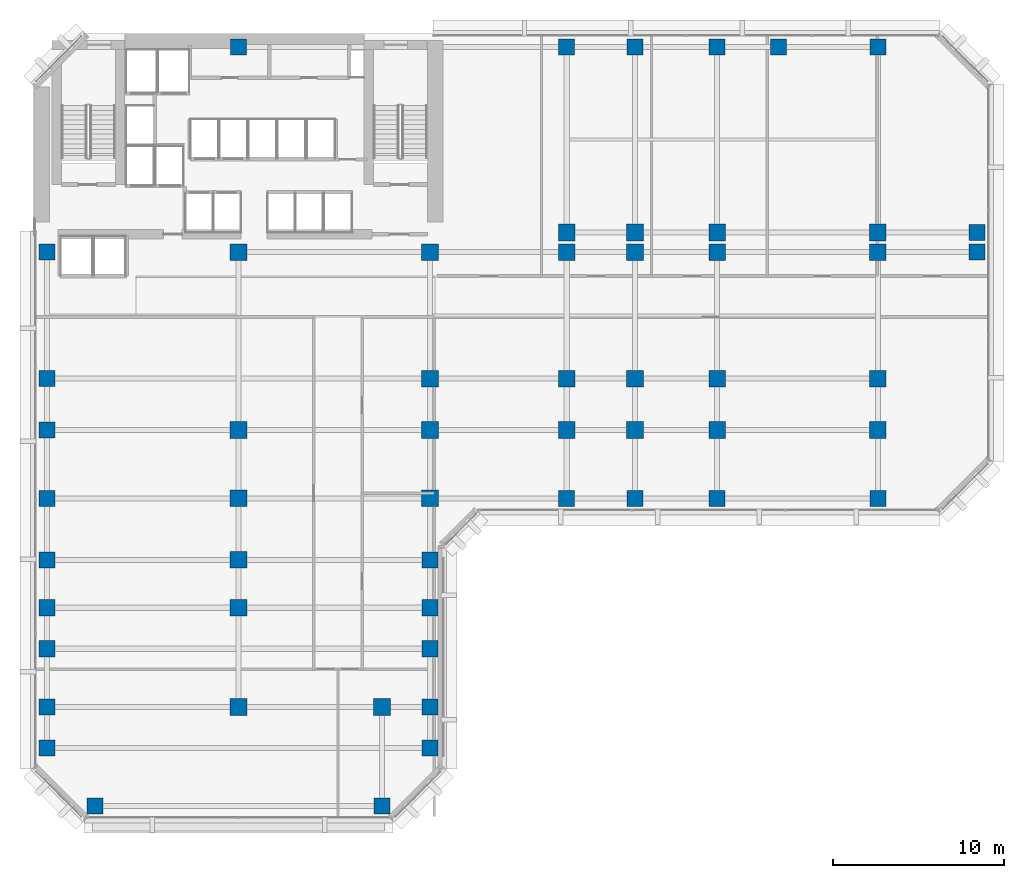
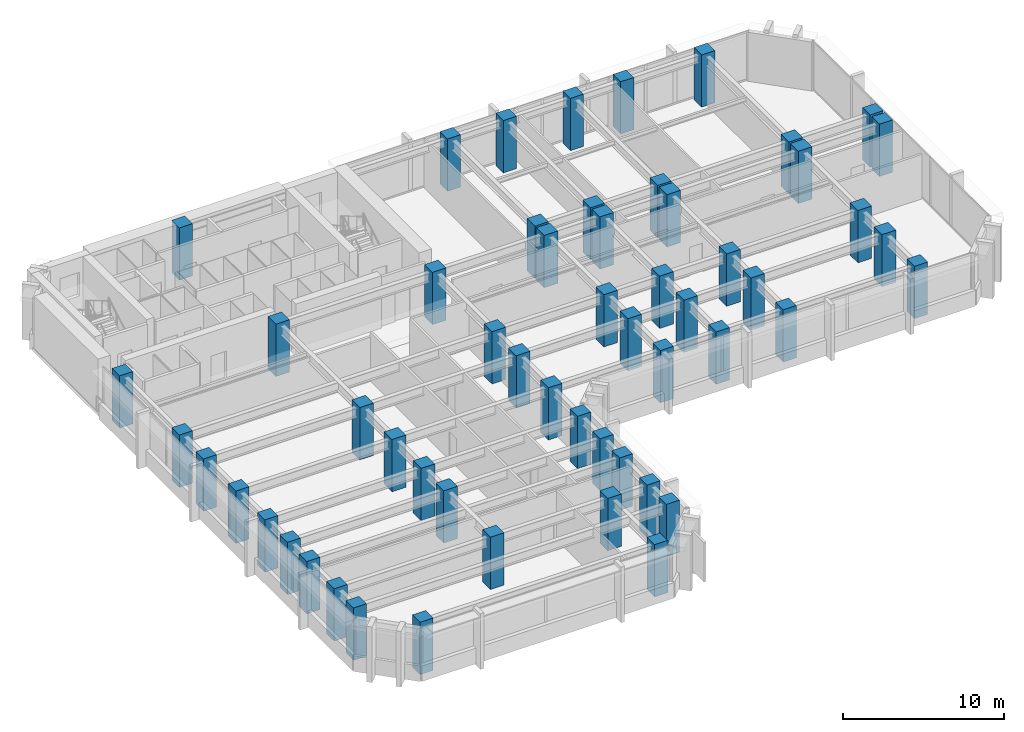
# One storey, part 1 of 13: 55 columns.
"""IFC4 building model written with IfcOpenShell, lengths in metres."""

from ifc_helpers import new_model, si_unit, direction, frame, origin, origin_2d, place, context, subcontext, project, spatial, rectangle, extrude, material, material_profile, profile_set, type_object, element, save


model = new_model("IFC4")

# Units and contexts
model_context = context("Model", 3, precision=1e-05, world=origin(), true_north=direction((0.0, 1.0)))
body_context = subcontext(model_context, "Body", "Model", "MODEL_VIEW")
ifc_project = project(units=[si_unit("LENGTHUNIT", "METRE"), si_unit("AREAUNIT", "SQUARE_METRE"), si_unit("VOLUMEUNIT", "CUBIC_METRE"), si_unit("PLANEANGLEUNIT", "RADIAN"), si_unit("MASSUNIT", "GRAM", prefix="KILO")], contexts=[model_context])

# Site, building, storey
site_placement = place(None, origin())
site = spatial("IfcSite", under=ifc_project, at=site_placement, CompositionType="ELEMENT")
building_placement = place(site_placement, origin())
building = spatial("IfcBuilding", under=site, at=building_placement, Name="Kefirva Bronze Tower", CompositionType="ELEMENT")
storey_placement = place(building_placement, frame((0.0, 0.0, 69.9599609375)))
storey = spatial("IfcBuildingStorey", under=building, at=storey_placement, Name="L16", CompositionType="ELEMENT", Elevation=69.9599609375)

# Columns
ifc_material = material(Name="Concrete C60/75", Category="concrete")
ifc_material_profile_1 = material_profile(ifc_material, rectangle(XDim=0.93994140625, YDim=0.93994140625, at=origin_2d()), Name="RC 940x940")
ifc_profile_set_1 = profile_set([ifc_material_profile_1], Name="Concrete C60/75")
column_type_1 = type_object("IfcColumnType", Name="RC Column 940x940 Ext", PredefinedType="COLUMN", material=ifc_profile_set_1)
for number, where, z_axis, x_axis, name in (
    (1, (0.800048828125, 4.199951171875, 0.0), (0.0, 0.0, 1.0), (1.0, 0.0, 0.0), "L16 Column C008_042"),
    (2, (0.800048828125, 6.60009765625, 0.0), (0.0, 0.0, 1.0), (1.0, 0.0, 0.0), "L16 Column C008_066"),
    (3, (0.800048828125, 10.0, 0.0), (0.0, 0.0, 1.0), (1.0, 0.0, 0.0), "L16 Column C008_100"),
    (4, (0.800048828125, 12.39990234375, 0.0), (0.0, 0.0, 1.0), (1.0, 0.0, 0.0), "L16 Column C008_124"),
    (5, (0.800048828125, 15.199951171875, 0.0), (0.0, 0.0, 1.0), (1.0, 0.0, 0.0), "L16 Column C008_152"),
    (6, (0.800048828125, 18.800048828125, 0.0), (0.0, 0.0, 1.0), (1.0, 0.0, 0.0), "L16 Column C008_188"),
    (7, (0.800048828125, 22.800048828125, 0.0), (0.0, 0.0, 1.0), (1.0, 0.0, 0.0), "L16 Column C008_228"),
    (8, (0.800048828125, 25.800048828125, 0.0), (0.0, 0.0, 1.0), (1.0, 0.0, 0.0), "L16 Column C008_258"),
    (9, (0.800048828125, 33.199951171875, 0.0), (0.0, 0.0, 1.0), (1.0, 0.0, 0.0), "L16 Column C008_332"),
    (10, (3.60009765625, 0.800048828125, 0.0), (0.0, 0.0, 1.0), (1.0, 0.0, 0.0), "L16 Column C036_008"),
    (11, (12.0, 45.199951171875, 0.0), (0.0, 0.0, 1.0), (1.0, 0.0, 0.0), "L16 Column C120_452"),
    (12, (20.39990234375, 0.800048828125, 0.0), (0.0, 0.0, 1.0), (1.0, 0.0, 0.0), "L16 Column C204_008"),
    (13, (23.199951171875, 4.199951171875, 0.0), (0.0, 0.0, 1.0), (1.0, 0.0, 0.0), "L16 Column C232_042"),
    (14, (23.199951171875, 6.60009765625, 0.0), (0.0, 0.0, 1.0), (1.0, 0.0, 0.0), "L16 Column C232_066"),
    (15, (23.199951171875, 10.0, 0.0), (0.0, 0.0, 1.0), (1.0, 0.0, 0.0), "L16 Column C232_100"),
    (16, (23.199951171875, 12.39990234375, 0.0), (0.0, 0.0, 1.0), (1.0, 0.0, 0.0), "L16 Column C232_124"),
    (17, (23.199951171875, 15.199951171875, 0.0), (0.0, 0.0, 1.0), (1.0, 0.0, 0.0), "L16 Column C232_152"),
    (18, (31.199951171875, 18.800048828125, 0.0), (0.0, 0.0, 1.0), (1.0, 0.0, 0.0), "L16 Column C312_188"),
    (19, (31.199951171875, 45.199951171875, 0.0), (0.0, 0.0, 1.0), (1.0, 0.0, 0.0), "L16 Column C312_452"),
    (20, (35.199951171875, 18.800048828125, 0.0), (0.0, 0.0, 1.0), (1.0, 0.0, 0.0), "L16 Column C352_188"),
    (21, (35.199951171875, 45.199951171875, 0.0), (0.0, 0.0, 1.0), (1.0, 0.0, 0.0), "L16 Column C352_452"),
    (22, (40.0, 18.800048828125, 0.0), (0.0, 0.0, 1.0), (1.0, 0.0, 0.0), "L16 Column C400_188"),
    (23, (40.0, 45.199951171875, 0.0), (0.0, 0.0, 1.0), (1.0, 0.0, 0.0), "L16 Column C400_452"),
    (24, (43.60009765625, 45.199951171875, 0.0), (0.0, 0.0, 1.0), (1.0, 0.0, 0.0), "L16 Column C436_452"),
    (25, (49.39990234375, 18.800048828125, 0.0), (0.0, 0.0, 1.0), (1.0, 0.0, 0.0), "L16 Column C494_188"),
    (26, (49.39990234375, 45.199951171875, 0.0), (0.0, 0.0, 1.0), (1.0, 0.0, 0.0), "L16 Column C494_452"),
    (27, (55.199951171875, 33.199951171875, 0.0), (0.0, 0.0, 1.0), (1.0, 0.0, 0.0), "L16 Column C552_332"),
    (28, (55.199951171875, 34.35009765625, 0.0), (0.0, 0.0, 1.0), (1.0, 0.0, 0.0), "L16 Column C552_344"),
):
    element("IfcColumn", number, at=place(storey_placement, frame(where, z_axis=z_axis, x_axis=x_axis)), inside=storey, type_object=column_type_1, Name=name, PredefinedType="COLUMN", context=body_context, shape_type="SweptSolid", body=[
        extrude(rectangle(XDim=0.93994140625, YDim=0.93994140625, at=origin_2d()), origin(), (0.0, 0.0, 1.0), 3.9599609375),
    ])
ifc_material_profile_2 = material_profile(ifc_material, rectangle(XDim=0.97998046875, YDim=0.97998046875, at=origin_2d()), Name="RC 980x980")
ifc_profile_set_2 = profile_set([ifc_material_profile_2], Name="Concrete C60/75")
column_type_2 = type_object("IfcColumnType", Name="RC Column 980x980 Int", PredefinedType="COLUMN", material=ifc_profile_set_2)
for number, where, z_axis, x_axis, name in (
    (29, (12.0, 6.60009765625, 0.0), (0.0, 0.0, 1.0), (1.0, 0.0, 0.0), "L16 Column C120_066"),
    (30, (12.0, 12.39990234375, 0.0), (0.0, 0.0, 1.0), (1.0, 0.0, 0.0), "L16 Column C120_124"),
    (31, (12.0, 15.199951171875, 0.0), (0.0, 0.0, 1.0), (1.0, 0.0, 0.0), "L16 Column C120_152"),
    (32, (12.0, 18.800048828125, 0.0), (0.0, 0.0, 1.0), (1.0, 0.0, 0.0), "L16 Column C120_188"),
    (33, (12.0, 22.800048828125, 0.0), (0.0, 0.0, 1.0), (1.0, 0.0, 0.0), "L16 Column C120_228"),
    (34, (12.0, 33.199951171875, 0.0), (0.0, 0.0, 1.0), (1.0, 0.0, 0.0), "L16 Column C120_332"),
    (35, (20.39990234375, 6.60009765625, 0.0), (0.0, 0.0, 1.0), (1.0, 0.0, 0.0), "L16 Column C204_066"),
    (36, (23.199951171875, 18.800048828125, 0.0), (0.0, 0.0, 1.0), (1.0, 0.0, 0.0), "L16 Column C232_188"),
    (37, (23.199951171875, 22.800048828125, 0.0), (0.0, 0.0, 1.0), (1.0, 0.0, 0.0), "L16 Column C232_228"),
    (38, (23.199951171875, 25.800048828125, 0.0), (0.0, 0.0, 1.0), (1.0, 0.0, 0.0), "L16 Column C232_258"),
    (39, (23.199951171875, 33.199951171875, 0.0), (0.0, 0.0, 1.0), (1.0, 0.0, 0.0), "L16 Column C232_332"),
    (40, (31.199951171875, 22.800048828125, 0.0), (0.0, 0.0, 1.0), (1.0, 0.0, 0.0), "L16 Column C312_228"),
    (41, (31.199951171875, 25.800048828125, 0.0), (0.0, 0.0, 1.0), (1.0, 0.0, 0.0), "L16 Column C312_258"),
    (42, (31.199951171875, 33.199951171875, 0.0), (0.0, 0.0, 1.0), (1.0, 0.0, 0.0), "L16 Column C312_332"),
    (43, (31.199951171875, 34.35009765625, 0.0), (0.0, 0.0, 1.0), (1.0, 0.0, 0.0), "L16 Column C312_344"),
    (44, (35.199951171875, 22.800048828125, 0.0), (0.0, 0.0, 1.0), (1.0, 0.0, 0.0), "L16 Column C352_228"),
    (45, (35.199951171875, 25.800048828125, 0.0), (0.0, 0.0, 1.0), (1.0, 0.0, 0.0), "L16 Column C352_258"),
    (46, (35.199951171875, 33.199951171875, 0.0), (0.0, 0.0, 1.0), (1.0, 0.0, 0.0), "L16 Column C352_332"),
    (47, (35.199951171875, 34.35009765625, 0.0), (0.0, 0.0, 1.0), (1.0, 0.0, 0.0), "L16 Column C352_344"),
    (48, (40.0, 22.800048828125, 0.0), (0.0, 0.0, 1.0), (1.0, 0.0, 0.0), "L16 Column C400_228"),
    (49, (40.0, 25.800048828125, 0.0), (0.0, 0.0, 1.0), (1.0, 0.0, 0.0), "L16 Column C400_258"),
    (50, (40.0, 33.199951171875, 0.0), (0.0, 0.0, 1.0), (1.0, 0.0, 0.0), "L16 Column C400_332"),
    (51, (40.0, 34.35009765625, 0.0), (0.0, 0.0, 1.0), (1.0, 0.0, 0.0), "L16 Column C400_344"),
    (52, (49.39990234375, 22.800048828125, 0.0), (0.0, 0.0, 1.0), (1.0, 0.0, 0.0), "L16 Column C494_228"),
    (53, (49.39990234375, 25.800048828125, 0.0), (0.0, 0.0, 1.0), (1.0, 0.0, 0.0), "L16 Column C494_258"),
    (54, (49.39990234375, 33.199951171875, 0.0), (0.0, 0.0, 1.0), (1.0, 0.0, 0.0), "L16 Column C494_332"),
    (55, (49.39990234375, 34.35009765625, 0.0), (0.0, 0.0, 1.0), (1.0, 0.0, 0.0), "L16 Column C494_344"),
):
    element("IfcColumn", number, at=place(storey_placement, frame(where, z_axis=z_axis, x_axis=x_axis)), inside=storey, type_object=column_type_2, Name=name, PredefinedType="COLUMN", context=body_context, shape_type="SweptSolid", body=[
        extrude(rectangle(XDim=0.97998046875, YDim=0.97998046875, at=origin_2d()), origin(), (0.0, 0.0, 1.0), 3.9599609375),
    ])

save(model, "model.ifc")
